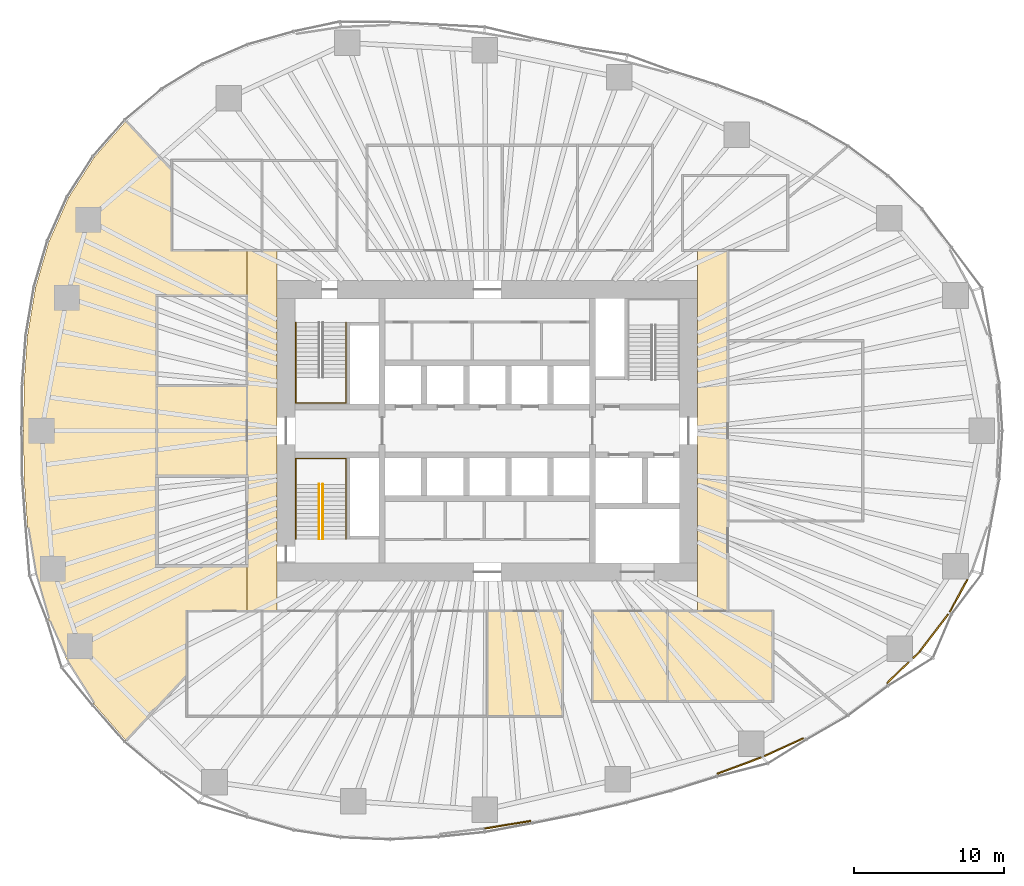
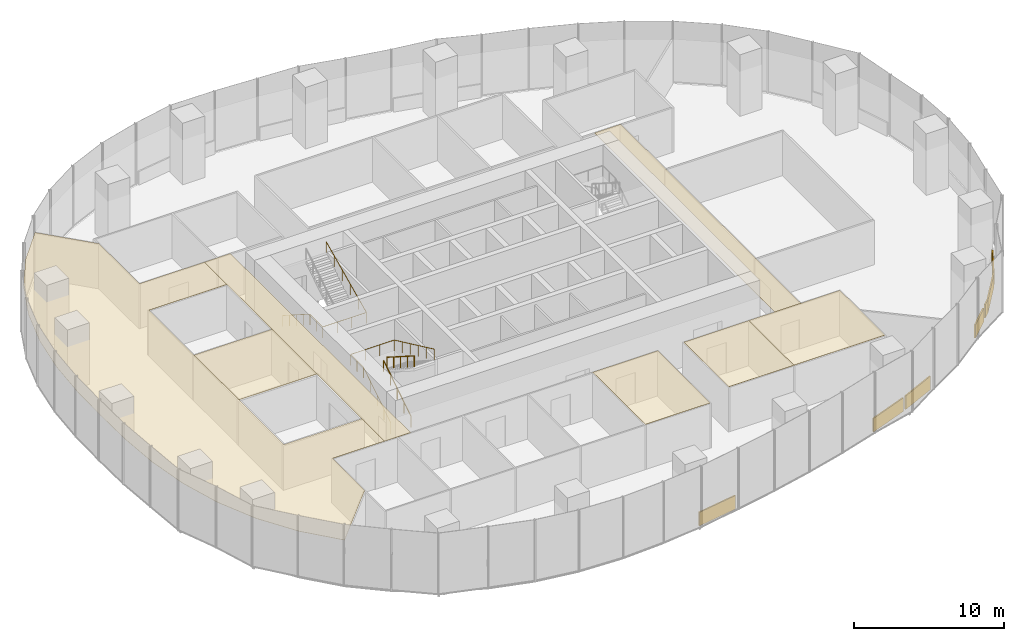
# One storey, part 18 of 20: 14 coverings, 4 railings.
"""IFC4 building model written with IfcOpenShell, lengths in metres."""

from ifc_helpers import new_model, si_unit, direction, frame, origin, origin_2d, place, context, subcontext, project, spatial, polyline, rectangle, circle, outline, extrude, material, layer, layer_set, type_object, element, save


model = new_model("IFC4")

# Units and contexts
model_context = context("Model", 3, precision=1e-05, world=origin(), true_north=direction((0.0, 1.0)))
body_context = subcontext(model_context, "Body", "Model", "MODEL_VIEW")
ifc_project = project(units=[si_unit("LENGTHUNIT", "METRE"), si_unit("AREAUNIT", "SQUARE_METRE"), si_unit("VOLUMEUNIT", "CUBIC_METRE"), si_unit("PLANEANGLEUNIT", "RADIAN"), si_unit("MASSUNIT", "GRAM", prefix="KILO")], contexts=[model_context])

# Site, building, storey
site_placement = place(None, origin())
site = spatial("IfcSite", under=ifc_project, at=site_placement, CompositionType="ELEMENT")
building_placement = place(site_placement, origin())
building = spatial("IfcBuilding", under=site, at=building_placement, Name="Ghaith Harvest Tower", CompositionType="ELEMENT")
storey_placement = place(building_placement, frame((0.0, 0.0, 55.0)))
storey = spatial("IfcBuildingStorey", under=building, at=storey_placement, Name="L11", CompositionType="ELEMENT", Elevation=55.0)

# Coverings
ifc_material_1 = material(Name="Mineral fibre ceiling tile", Category="gypsum")
ifc_layer_1 = layer(ifc_material_1, 0.02490234375)
ifc_layer_set_1 = layer_set([ifc_layer_1], Name="CEILING C2")
covering_type_1 = type_object("IfcCoveringType", Name="CEILING C2", PredefinedType="CEILING", material=ifc_layer_set_1)
covering_1_placement = place(storey_placement, frame((0.0, 0.0, 3.60009765625)))
element("IfcCovering", 1, at=covering_1_placement, inside=storey, type_object=covering_type_1, Name="Ceiling L11-05", PredefinedType="CEILING", context=body_context, shape_type="SweptSolid", body=[
    extrude(outline(polyline([(0.0, -19.0), (5.0, -19.0), (5.0, -12.0), (0.0, -12.0), (0.0, -19.0)])), origin(), (0.0, 0.0, 1.0), 0.02490234375),
])
covering_2_placement = place(storey_placement, frame((0.0, 0.0, 3.60009765625)))
element("IfcCovering", 2, at=covering_2_placement, inside=storey, type_object=covering_type_1, Name="Ceiling L11-06", PredefinedType="CEILING", context=body_context, shape_type="SweptSolid", body=[
    extrude(outline(polyline([(7.0, -18.0), (12.0, -18.0), (12.0, -12.0), (7.0, -12.0), (7.0, -18.0)])), origin(), (0.0, 0.0, 1.0), 0.02490234375),
])
covering_3_placement = place(storey_placement, frame((0.0, 0.0, 3.60009765625)))
element("IfcCovering", 3, at=covering_3_placement, inside=storey, type_object=covering_type_1, Name="Ceiling L11-07", PredefinedType="CEILING", context=body_context, shape_type="SweptSolid", body=[
    extrude(outline(polyline([(12.0, -18.0), (19.0, -18.0), (19.0, -12.0), (12.0, -12.0), (12.0, -18.0)])), origin(), (0.0, 0.0, 1.0), 0.02490234375),
])
covering_4_placement = place(storey_placement, frame((0.0, 0.0, 3.60009765625)))
element("IfcCovering", 4, at=covering_4_placement, inside=storey, type_object=covering_type_1, Name="Ceiling L11-15", PredefinedType="CEILING", context=body_context, shape_type="SweptSolid", body=[
    extrude(outline(polyline([(-22.0, -3.0), (-16.0, -3.0), (-16.0, 3.0), (-22.0, 3.0), (-22.0, -3.0)])), origin(), (0.0, 0.0, 1.0), 0.02490234375),
])
covering_5_placement = place(storey_placement, frame((0.0, 0.0, 3.60009765625)))
element("IfcCovering", 5, at=covering_5_placement, inside=storey, type_object=covering_type_1, Name="Ceiling L11-C1", PredefinedType="CEILING", context=body_context, shape_type="SweptSolid", body=[
    extrude(outline(polyline([(-14.0, 12.0), (-14.0, -12.0), (-16.0, -12.0), (-16.0, 12.0), (-14.0, 12.0)])), origin(), (0.0, 0.0, 1.0), 0.02490234375),
])
covering_6_placement = place(storey_placement, frame((0.0, 0.0, 3.60009765625)))
element("IfcCovering", 6, at=covering_6_placement, inside=storey, type_object=covering_type_1, Name="Ceiling L11-C2", PredefinedType="CEILING", context=body_context, shape_type="SweptSolid", body=[
    extrude(outline(polyline([(14.0, -12.0), (14.0, 12.0), (16.0, 12.0), (16.0, -12.0), (14.0, -12.0)])), origin(), (0.0, 0.0, 1.0), 0.02490234375),
])
covering_7_placement = place(storey_placement, frame((0.0, 0.0, 3.60009765625)))
element("IfcCovering", 7, at=covering_7_placement, inside=storey, type_object=covering_type_1, Name="Ceiling L11-W1", PredefinedType="CEILING", context=body_context, shape_type="SweptSolid", body=[
    extrude(outline(polyline([(-26.16455078125, -18.20556640625), (-27.881591796875, -15.507080078125), (-29.182373046875, -12.587890625), (-30.073974609375, -9.531005859375), (-30.606689453125, -6.35107421875), (-30.837158203125, -3.165771484375), (-30.875, 0.0), (-30.837158203125, 3.165771484375), (-30.606689453125, 6.35107421875), (-30.073974609375, 9.531005859375), (-29.182373046875, 12.587890625), (-27.881591796875, 15.507080078125), (-26.16455078125, 18.20556640625), (-24.04833984375, 20.618408203125), (-21.0, 17.354248046875), (-21.0, 12.0), (-16.0, 12.0), (-16.0, 9.0), (-22.0, 9.0), (-22.0, -9.0), (-16.0, -9.0), (-16.0, -12.0), (-20.0, -12.0), (-20.0, -16.283203125), (-24.04833984375, -20.618408203125), (-26.16455078125, -18.20556640625)])), origin(), (0.0, 0.0, 1.0), 0.02490234375),
])

# Railings
ifc_material_2 = material(Name="Steel, black powder-coated", Category="steel")
railing_type = type_object("IfcRailingType", Name="HANDRAIL HR1", PredefinedType="HANDRAIL", material=ifc_material_2)
railing_1_placement = place(storey_placement, frame((-12.75, 7.199951171875, 0.178466796875)))
element("IfcRailing", 8, at=railing_1_placement, inside=storey, type_object=railing_type, Name="Handrail HR1 stair ST1 L11 wall side", PredefinedType="HANDRAIL", context=body_context, shape_type="SweptSolid", body=[
    extrude(circle(Radius=0.02392578125, at=origin_2d()), frame((0.0, 0.0, 0.8759765625), z_axis=(0.0, -0.843111507901, 0.53773877045), x_axis=(1.0, 0.0, 0.0)), (0.0, 0.0, 1.0), 4.317138671875),
    extrude(circle(Radius=0.02392578125, at=origin_2d()), frame((0.0, -3.639892578125, 3.197265625), z_axis=(0.0, -1.0, 0.0), x_axis=(1.0, 0.0, 0.0)), (0.0, 0.0, 1.0), 1.7099609375),
    extrude(circle(Radius=0.02392578125, at=origin_2d()), frame((0.0, -5.349853515625, 3.197265625), z_axis=(1.0, 0.0, 0.0), x_axis=(0.0, 1.0, 0.0)), (0.0, 0.0, 1.0), 3.35009765625),
    extrude(circle(Radius=0.02392578125, at=origin_2d()), frame((3.35009765625, -5.349853515625, 3.197265625), z_axis=(0.0, 0.905962265858, 0.423358444868), x_axis=(-1.0, 0.0, 0.0)), (0.0, 0.0, 1.0), 5.9052734375),
    extrude(circle(Radius=0.02099609375, at=origin_2d()), origin(), (0.0, 0.0, 1.0), 0.851806640625),
    extrude(circle(Radius=0.02099609375, at=origin_2d()), frame((0.0, -0.909912109375, 0.580322265625)), (0.0, 0.0, 1.0), 0.851806640625),
    extrude(circle(Radius=0.02099609375, at=origin_2d()), frame((0.0, -1.81982421875, 1.16064453125)), (0.0, 0.0, 1.0), 0.851806640625),
    extrude(circle(Radius=0.02099609375, at=origin_2d()), frame((0.0, -2.72998046875, 1.7412109375)), (0.0, 0.0, 1.0), 0.851806640625),
    extrude(circle(Radius=0.02099609375, at=origin_2d()), frame((0.0, -3.639892578125, 2.321533203125)), (0.0, 0.0, 1.0), 0.851806640625),
    extrude(circle(Radius=0.02099609375, at=origin_2d()), frame((0.0, -4.494873046875, 2.321533203125)), (0.0, 0.0, 1.0), 0.851806640625),
    extrude(circle(Radius=0.02099609375, at=origin_2d()), frame((0.0, -5.349853515625, 2.321533203125)), (0.0, 0.0, 1.0), 0.851806640625),
    extrude(circle(Radius=0.02099609375, at=origin_2d()), frame((1.11669921875, -5.349853515625, 2.321533203125)), (0.0, 0.0, 1.0), 0.851806640625),
    extrude(circle(Radius=0.02099609375, at=origin_2d()), frame((2.2333984375, -5.349853515625, 2.321533203125)), (0.0, 0.0, 1.0), 0.851806640625),
    extrude(circle(Radius=0.02099609375, at=origin_2d()), frame((3.35009765625, -5.349853515625, 2.321533203125)), (0.0, 0.0, 1.0), 0.851806640625),
    extrude(circle(Radius=0.02099609375, at=origin_2d()), frame((3.35009765625, -4.27978515625, 2.821533203125)), (0.0, 0.0, 1.0), 0.851806640625),
    extrude(circle(Radius=0.02099609375, at=origin_2d()), frame((3.35009765625, -3.2099609375, 3.321533203125)), (0.0, 0.0, 1.0), 0.851806640625),
    extrude(circle(Radius=0.02099609375, at=origin_2d()), frame((3.35009765625, -2.139892578125, 3.821533203125)), (0.0, 0.0, 1.0), 0.851806640625),
    extrude(circle(Radius=0.02099609375, at=origin_2d()), frame((3.35009765625, -1.070068359375, 4.321533203125)), (0.0, 0.0, 1.0), 0.851806640625),
    extrude(circle(Radius=0.02099609375, at=origin_2d()), frame((3.35009765625, 0.0, 4.821533203125)), (0.0, 0.0, 1.0), 0.851806640625),
])
railing_2_placement = place(storey_placement, frame((-11.199951171875, -7.199951171875, 0.178466796875)))
element("IfcRailing", 9, at=railing_2_placement, inside=storey, type_object=railing_type, Name="Handrail HR1 stair ST3 L11 flight 1 inner", PredefinedType="HANDRAIL", context=body_context, shape_type="SweptSolid", body=[
    extrude(circle(Radius=0.02392578125, at=origin_2d()), frame((0.0, 0.0, 0.8759765625), z_axis=(0.0, 0.843111507901, 0.53773877045), x_axis=(-1.0, 0.0, 0.0)), (0.0, 0.0, 1.0), 4.317138671875),
    extrude(circle(Radius=0.02099609375, at=origin_2d()), origin(), (0.0, 0.0, 1.0), 0.851806640625),
    extrude(circle(Radius=0.02099609375, at=origin_2d()), frame((0.0, 0.909912109375, 0.580322265625)), (0.0, 0.0, 1.0), 0.851806640625),
    extrude(circle(Radius=0.02099609375, at=origin_2d()), frame((0.0, 1.81982421875, 1.16064453125)), (0.0, 0.0, 1.0), 0.851806640625),
    extrude(circle(Radius=0.02099609375, at=origin_2d()), frame((0.0, 2.72998046875, 1.7412109375)), (0.0, 0.0, 1.0), 0.851806640625),
    extrude(circle(Radius=0.02099609375, at=origin_2d()), frame((0.0, 3.639892578125, 2.321533203125)), (0.0, 0.0, 1.0), 0.851806640625),
])
railing_3_placement = place(storey_placement, frame((-10.949951171875, -3.56005859375, 2.678466796875)))
element("IfcRailing", 10, at=railing_3_placement, inside=storey, type_object=railing_type, Name="Handrail HR1 stair ST3 L11 flight 2 inner", PredefinedType="HANDRAIL", context=body_context, shape_type="SweptSolid", body=[
    extrude(circle(Radius=0.02392578125, at=origin_2d()), frame((0.0, 0.0, 0.8759765625), z_axis=(0.0, -0.843111507901, 0.53773877045), x_axis=(1.0, 0.0, 0.0)), (0.0, 0.0, 1.0), 4.317138671875),
    extrude(circle(Radius=0.02099609375, at=origin_2d()), origin(), (0.0, 0.0, 1.0), 0.851806640625),
    extrude(circle(Radius=0.02099609375, at=origin_2d()), frame((0.0, -0.909912109375, 0.580322265625)), (0.0, 0.0, 1.0), 0.851806640625),
    extrude(circle(Radius=0.02099609375, at=origin_2d()), frame((0.0, -1.81982421875, 1.16064453125)), (0.0, 0.0, 1.0), 0.851806640625),
    extrude(circle(Radius=0.02099609375, at=origin_2d()), frame((0.0, -2.72998046875, 1.7412109375)), (0.0, 0.0, 1.0), 0.851806640625),
    extrude(circle(Radius=0.02099609375, at=origin_2d()), frame((0.0, -3.639892578125, 2.321533203125)), (0.0, 0.0, 1.0), 0.851806640625),
])
railing_4_placement = place(storey_placement, frame((-12.75, -7.199951171875, 0.178466796875)))
element("IfcRailing", 11, at=railing_4_placement, inside=storey, type_object=railing_type, Name="Handrail HR1 stair ST3 L11 wall side", PredefinedType="HANDRAIL", context=body_context, shape_type="SweptSolid", body=[
    extrude(circle(Radius=0.02392578125, at=origin_2d()), frame((0.0, 0.0, 0.8759765625), z_axis=(0.0, 0.843111507901, 0.53773877045), x_axis=(-1.0, 0.0, 0.0)), (0.0, 0.0, 1.0), 4.317138671875),
    extrude(circle(Radius=0.02392578125, at=origin_2d()), frame((0.0, 3.639892578125, 3.197265625), z_axis=(0.0, 1.0, 0.0), x_axis=(-1.0, 0.0, 0.0)), (0.0, 0.0, 1.0), 1.7099609375),
    extrude(circle(Radius=0.02392578125, at=origin_2d()), frame((0.0, 5.349853515625, 3.197265625), z_axis=(1.0, 0.0, 0.0), x_axis=(0.0, 1.0, 0.0)), (0.0, 0.0, 1.0), 3.35009765625),
    extrude(circle(Radius=0.02392578125, at=origin_2d()), frame((3.35009765625, 5.349853515625, 3.197265625), z_axis=(0.0, -0.905962265858, 0.423358444868), x_axis=(1.0, 0.0, 0.0)), (0.0, 0.0, 1.0), 5.9052734375),
    extrude(circle(Radius=0.02099609375, at=origin_2d()), origin(), (0.0, 0.0, 1.0), 0.851806640625),
    extrude(circle(Radius=0.02099609375, at=origin_2d()), frame((0.0, 0.909912109375, 0.580322265625)), (0.0, 0.0, 1.0), 0.851806640625),
    extrude(circle(Radius=0.02099609375, at=origin_2d()), frame((0.0, 1.81982421875, 1.16064453125)), (0.0, 0.0, 1.0), 0.851806640625),
    extrude(circle(Radius=0.02099609375, at=origin_2d()), frame((0.0, 2.72998046875, 1.7412109375)), (0.0, 0.0, 1.0), 0.851806640625),
    extrude(circle(Radius=0.02099609375, at=origin_2d()), frame((0.0, 3.639892578125, 2.321533203125)), (0.0, 0.0, 1.0), 0.851806640625),
    extrude(circle(Radius=0.02099609375, at=origin_2d()), frame((0.0, 4.494873046875, 2.321533203125)), (0.0, 0.0, 1.0), 0.851806640625),
    extrude(circle(Radius=0.02099609375, at=origin_2d()), frame((0.0, 5.349853515625, 2.321533203125)), (0.0, 0.0, 1.0), 0.851806640625),
    extrude(circle(Radius=0.02099609375, at=origin_2d()), frame((1.11669921875, 5.349853515625, 2.321533203125)), (0.0, 0.0, 1.0), 0.851806640625),
    extrude(circle(Radius=0.02099609375, at=origin_2d()), frame((2.2333984375, 5.349853515625, 2.321533203125)), (0.0, 0.0, 1.0), 0.851806640625),
    extrude(circle(Radius=0.02099609375, at=origin_2d()), frame((3.35009765625, 5.349853515625, 2.321533203125)), (0.0, 0.0, 1.0), 0.851806640625),
    extrude(circle(Radius=0.02099609375, at=origin_2d()), frame((3.35009765625, 4.27978515625, 2.821533203125)), (0.0, 0.0, 1.0), 0.851806640625),
    extrude(circle(Radius=0.02099609375, at=origin_2d()), frame((3.35009765625, 3.2099609375, 3.321533203125)), (0.0, 0.0, 1.0), 0.851806640625),
    extrude(circle(Radius=0.02099609375, at=origin_2d()), frame((3.35009765625, 2.139892578125, 3.821533203125)), (0.0, 0.0, 1.0), 0.851806640625),
    extrude(circle(Radius=0.02099609375, at=origin_2d()), frame((3.35009765625, 1.070068359375, 4.321533203125)), (0.0, 0.0, 1.0), 0.851806640625),
    extrude(circle(Radius=0.02099609375, at=origin_2d()), frame((3.35009765625, 0.0, 4.821533203125)), (0.0, 0.0, 1.0), 0.851806640625),
])

# Coverings
ifc_material_3 = material(Name="Insulated aluminium spandrel panel on steel framing", Category="steel")
ifc_layer_2 = layer(ifc_material_3, 0.10009765625)
ifc_layer_set_2 = layer_set([ifc_layer_2], Name="SLAB EDGE UPSTAND 1100x100")
covering_type_2 = type_object("IfcCoveringType", Name="SLAB EDGE UPSTAND 1100x100", PredefinedType="CLADDING", material=ifc_layer_set_2)
covering_8_placement = place(storey_placement, frame((1.349609375, -26.224365234375, 0.0), z_axis=(0.0, 0.0, 1.0), x_axis=(0.98671624755, 0.162453214254, 0.0)))
element("IfcCovering", 12, at=covering_8_placement, inside=storey, type_object=covering_type_2, Name="Slab edge upstand 1 bay 16 L11", PredefinedType="CLADDING", context=body_context, shape_type="SweptSolid", body=[
    extrude(rectangle(XDim=3.119873046875, YDim=0.10009765625, at=origin_2d()), origin(), (0.0, 0.0, 1.0), 1.10009765625),
])
covering_9_placement = place(storey_placement, frame((16.764404296875, -22.289306640625, 0.0), z_axis=(0.0, 0.0, 1.0), x_axis=(0.937331853701, 0.348437937139, 0.0)))
element("IfcCovering", 13, at=covering_9_placement, inside=storey, type_object=covering_type_2, Name="Slab edge upstand 3 bay 17 L11", PredefinedType="CLADDING", context=body_context, shape_type="SweptSolid", body=[
    extrude(rectangle(XDim=3.1298828125, YDim=0.10009765625, at=origin_2d()), origin(), (0.0, 0.0, 1.0), 1.10009765625),
])
covering_10_placement = place(storey_placement, frame((19.7451171875, -21.05810546875, 0.0), z_axis=(0.0, 0.0, 1.0), x_axis=(0.909046054499, 0.416695657284, 0.0)))
element("IfcCovering", 14, at=covering_10_placement, inside=storey, type_object=covering_type_2, Name="Slab edge upstand 1 bay 18 L11", PredefinedType="CLADDING", context=body_context, shape_type="SweptSolid", body=[
    extrude(rectangle(XDim=2.84326171875, YDim=0.10009765625, at=origin_2d()), origin(), (0.0, 0.0, 1.0), 1.10009765625),
])
covering_11_placement = place(storey_placement, frame((27.330810546875, -16.105224609375, 0.0), z_axis=(0.0, 0.0, 1.0), x_axis=(0.717386427289, 0.69667547247, 0.0)))
element("IfcCovering", 15, at=covering_11_placement, inside=storey, type_object=covering_type_2, Name="Slab edge upstand 1 bay 19 L11", PredefinedType="CLADDING", context=body_context, shape_type="SweptSolid", body=[
    extrude(rectangle(XDim=2.010498046875, YDim=0.10009765625, at=origin_2d()), origin(), (0.0, 0.0, 1.0), 1.10009765625),
])
covering_12_placement = place(storey_placement, frame((28.57470703125, -14.897216796875, 0.0), z_axis=(0.0, 0.0, 1.0), x_axis=(0.717386427289, 0.69667547247, 0.0)))
element("IfcCovering", 16, at=covering_12_placement, inside=storey, type_object=covering_type_2, Name="Slab edge upstand 1 bay 19 L11", PredefinedType="CLADDING", context=body_context, shape_type="SweptSolid", body=[
    extrude(rectangle(XDim=0.643310546875, YDim=0.10009765625, at=origin_2d()), origin(), (0.0, 0.0, 1.0), 1.10009765625),
])
covering_13_placement = place(storey_placement, frame((29.74267578125, -13.44921875, 0.0), z_axis=(0.0, 0.0, 1.0), x_axis=(0.608255123652, 0.7937415855, 0.0)))
element("IfcCovering", 17, at=covering_13_placement, inside=storey, type_object=covering_type_2, Name="Slab edge upstand 2 bay 19 L11", PredefinedType="CLADDING", context=body_context, shape_type="SweptSolid", body=[
    extrude(rectangle(XDim=3.09765625, YDim=0.10009765625, at=origin_2d()), origin(), (0.0, 0.0, 1.0), 1.10009765625),
])
covering_14_placement = place(storey_placement, frame((31.3759765625, -10.9755859375, 0.0), z_axis=(0.0, 0.0, 1.0), x_axis=(0.4763492928, 0.879256135178, 0.0)))
element("IfcCovering", 18, at=covering_14_placement, inside=storey, type_object=covering_type_2, Name="Slab edge upstand 3 bay 19 L11", PredefinedType="CLADDING", context=body_context, shape_type="SweptSolid", body=[
    extrude(rectangle(XDim=2.46484375, YDim=0.10009765625, at=origin_2d()), origin(), (0.0, 0.0, 1.0), 1.10009765625),
])

save(model, "model.ifc")
